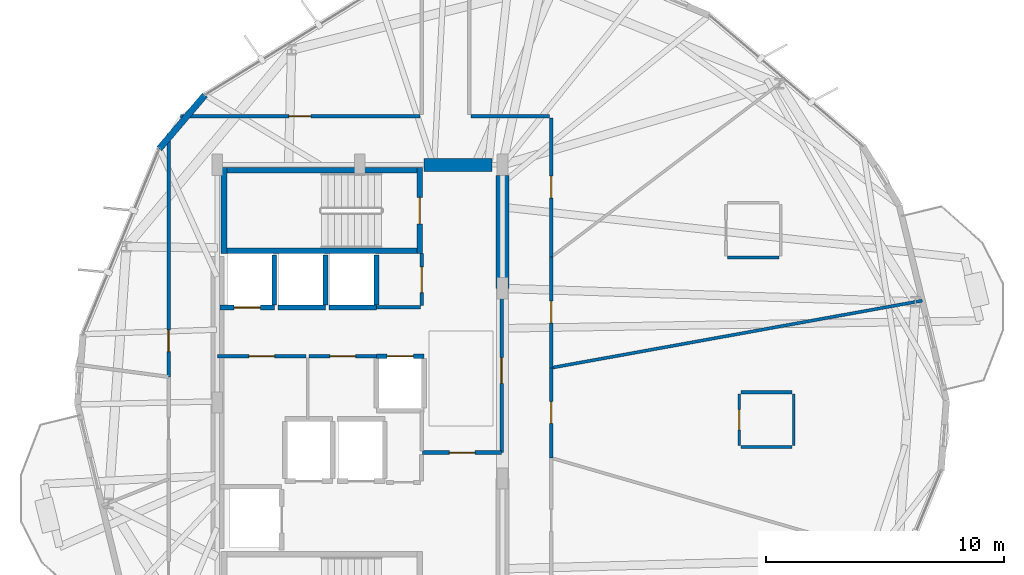
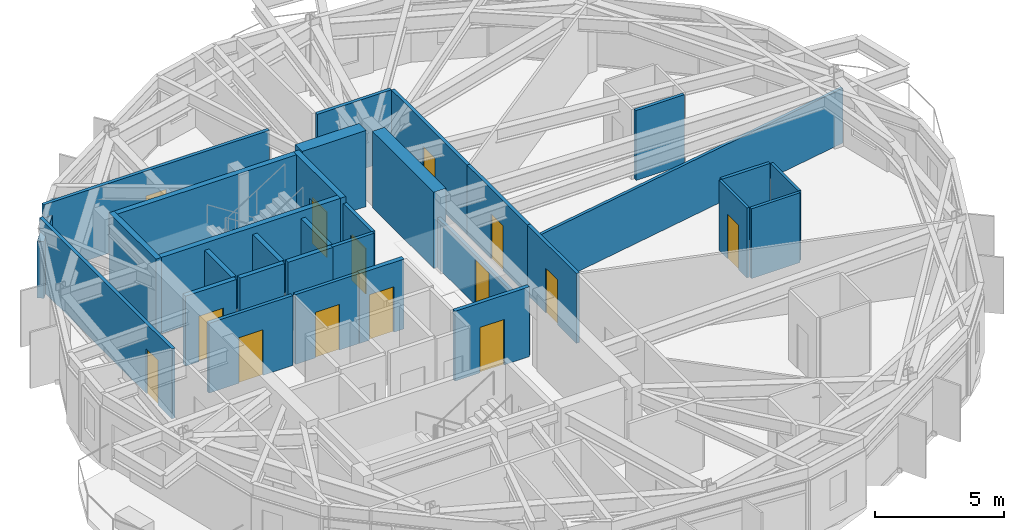
# One storey, part 16 of 21: 32 walls, 14 doors, 14 openings.
"""IFC4 building model written with IfcOpenShell, lengths in metres."""

from ifc_helpers import new_model, si_unit, direction, frame, frame_2d, origin, place, context, subcontext, project, spatial, rectangle, extrude, material, layer, layer_set, type_object, element, fill, save


model = new_model("IFC4")

# Units and contexts
model_context = context("Model", 3, precision=1e-05, world=origin(), true_north=direction((0.0, 1.0)))
body_context = subcontext(model_context, "Body", "Model", "MODEL_VIEW")
ifc_project = project(units=[si_unit("LENGTHUNIT", "METRE"), si_unit("AREAUNIT", "SQUARE_METRE"), si_unit("VOLUMEUNIT", "CUBIC_METRE"), si_unit("PLANEANGLEUNIT", "RADIAN"), si_unit("MASSUNIT", "GRAM", prefix="KILO")], contexts=[model_context])

# Site, building, storey
site_placement = place(None, origin())
site = spatial("IfcSite", under=ifc_project, at=site_placement, CompositionType="ELEMENT")
building_placement = place(site_placement, origin())
building = spatial("IfcBuilding", under=site, at=building_placement, Name="Soratama Intermodal Tower", CompositionType="ELEMENT")
storey_placement = place(building_placement, frame((0.0, 0.0, 149.800048828125)))
storey = spatial("IfcBuildingStorey", under=building, at=storey_placement, Name="L36", CompositionType="ELEMENT", Elevation=149.800048828125)

# Wall
ifc_material_1 = material(Name="Concrete f'c 42 MPa", Category="concrete")
ifc_layer_1 = layer(ifc_material_1, 0.27001953125)
ifc_layer_set_1 = layer_set([ifc_layer_1], Name="Concrete f'c 42 MPa")
wall_type_1 = type_object("IfcWallType", Name="EW-CRN-270", PredefinedType="SOLIDWALL", material=ifc_layer_set_1)
wall_1_placement = place(storey_placement, frame((32.080078125, 37.93505859375, 0.0), z_axis=(0.0, 0.0, 1.0), x_axis=(-0.647858622498, -0.761760595762, 0.0)))
element("IfcWall", 1, at=wall_1_placement, inside=storey, type_object=wall_type_1, Name="L36 Corner Closure Wall 03", PredefinedType="SOLIDWALL", context=body_context, shape_type="SweptSolid", body=[
    extrude(rectangle(XDim=2.966552734375, YDim=0.27001953125, at=frame_2d((1.4833984375, 0.0))), origin(), (0.0, 0.0, 1.0), 2.678955078125),
])

# Wall, opening, door
ifc_material_2 = material(Name="Fire-rated gypsum stud partition", Category="concrete")
ifc_layer_2 = layer(ifc_material_2, 0.14990234375)
ifc_layer_set_2 = layer_set([ifc_layer_2], Name="Fire-rated gypsum stud partition")
wall_type_2 = type_object("IfcWallType", Name="IW-PART-R150", PredefinedType="PARTITIONING", material=ifc_layer_set_2)
wall_2_placement = place(storey_placement, frame((30.550048828125, 26.076904296875, 0.0), z_axis=(0.0, 0.0, 1.0), x_axis=(0.0, 1.0, 0.0)))
wall_2 = element("IfcWall", 2, at=wall_2_placement, inside=storey, type_object=wall_type_2, Name="L36 Partition W-L36-TP005", PredefinedType="PARTITIONING", context=body_context, shape_type="SweptSolid", body=[
    extrude(rectangle(XDim=10.2412109375, YDim=0.14990234375, at=frame_2d((5.12060546875, 0.0))), origin(), (0.0, 0.0, 1.0), 3.300048828125),
])
opening_1_placement = place(wall_2_placement, frame((1.06103515625, 0.0, 0.0)))
opening_1 = element("IfcOpeningElement", 3, at=opening_1_placement, cuts=wall_2, Name="Opening ID-6", PredefinedType="OPENING", context=body_context, shape_type="SweptSolid", body=[
    extrude(rectangle(XDim=0.919921875, YDim=2.1201171875, at=frame_2d((0.4599609375, 1.06005859375))), frame((0.0, 0.0849609375, 0.0), z_axis=(0.0, -1.0, 0.0), x_axis=(1.0, 0.0, 0.0)), (0.0, 0.0, 1.0), 0.169921875),
])
ifc_material_3 = material(Name="Solid hardwood acoustic door", Category="wood")
door_type_1 = type_object("IfcDoorType", Name="DR-ROOM-920", OperationType="NOTDEFINED", PredefinedType="DOOR", material=ifc_material_3)
door_1_placement = place(opening_1_placement, origin())
door_1 = element("IfcDoor", 4, at=door_1_placement, inside=storey, type_object=door_type_1, Name="L36 Door D-L36-TP001", OperationType="SINGLE_SWING_RIGHT", OverallHeight=2.1201171875, OverallWidth=0.919921875, PredefinedType="DOOR", context=body_context, shape_type="SweptSolid", body=[
    extrude(rectangle(XDim=0.919921875, YDim=2.1201171875, at=frame_2d((0.4599609375, 1.06005859375))), frame((0.0, 0.02490234375, 0.0), z_axis=(0.0, -1.0, 0.0), x_axis=(1.0, 0.0, 0.0)), (0.0, 0.0, 1.0), 0.050048828125),
])
fill(opening_1, door_1)

wall_3_placement = place(storey_placement, frame((31.048095703125, 37.050048828125, 0.0), z_axis=(0.0, 0.0, 1.0), x_axis=(1.0, 0.0, 0.0)))
wall_3 = element("IfcWall", 5, at=wall_3_placement, inside=storey, type_object=wall_type_2, Name="L36 Partition W-L36-TP006", PredefinedType="PARTITIONING", context=body_context, shape_type="SweptSolid", body=[
    extrude(rectangle(XDim=10.081787109375, YDim=0.14990234375, at=frame_2d((5.041015625, 0.0))), origin(), (0.0, 0.0, 1.0), 3.300048828125),
])
opening_2_placement = place(wall_3_placement, frame((4.56591796875, 0.0, 0.0)))
opening_2 = element("IfcOpeningElement", 6, at=opening_2_placement, cuts=wall_3, Name="Opening ID-6", PredefinedType="OPENING", context=body_context, shape_type="SweptSolid", body=[
    extrude(rectangle(XDim=0.919921875, YDim=2.1201171875, at=frame_2d((0.4599609375, 1.06005859375))), frame((0.0, 0.0849609375, 0.0), z_axis=(0.0, -1.0, 0.0), x_axis=(1.0, 0.0, 0.0)), (0.0, 0.0, 1.0), 0.169921875),
])
door_2_placement = place(opening_2_placement, origin())
door_2 = element("IfcDoor", 7, at=door_2_placement, inside=storey, type_object=door_type_1, Name="L36 Door D-L36-TP002", OperationType="SINGLE_SWING_LEFT", OverallHeight=2.1201171875, OverallWidth=0.919921875, PredefinedType="DOOR", context=body_context, shape_type="SweptSolid", body=[
    extrude(rectangle(XDim=0.919921875, YDim=2.1201171875, at=frame_2d((0.4599609375, 1.06005859375))), frame((0.0, 0.02490234375, 0.0), z_axis=(0.0, -1.0, 0.0), x_axis=(1.0, 0.0, 0.0)), (0.0, 0.0, 1.0), 0.050048828125),
])
fill(opening_2, door_2)

wall_4_placement = place(storey_placement, frame((44.56005859375, 29.800048828125, 0.0), z_axis=(0.0, 0.0, 1.0), x_axis=(0.0, -1.0, 0.0)))
wall_4 = element("IfcWall", 8, at=wall_4_placement, inside=storey, type_object=wall_type_2, Name="L36 Partition W-L36-TP008", PredefinedType="PARTITIONING", context=body_context, shape_type="SweptSolid", body=[
    extrude(rectangle(XDim=6.91015625, YDim=0.14990234375, at=frame_2d((3.455078125, 0.0))), origin(), (0.0, 0.0, 1.0), 2.33984375),
])
opening_3_placement = place(wall_4_placement, frame((2.9150390625, 0.0, 0.0)))
opening_3 = element("IfcOpeningElement", 9, at=opening_3_placement, cuts=wall_4, Name="Opening ID-1", PredefinedType="OPENING", context=body_context, shape_type="SweptSolid", body=[
    extrude(rectangle(XDim=1.080078125, YDim=2.14990234375, at=frame_2d((0.5400390625, 1.074951171875))), frame((0.0, 0.0849609375, 0.0), z_axis=(0.0, -1.0, 0.0), x_axis=(1.0, 0.0, 0.0)), (0.0, 0.0, 1.0), 0.169921875),
])
ifc_material_4 = material(Name="Solid hardwood acoustic door", Category="wood")
door_type_2 = type_object("IfcDoorType", Name="DR-LOB-FD60", OperationType="NOTDEFINED", PredefinedType="DOOR", material=ifc_material_4)
door_3_placement = place(opening_3_placement, origin())
door_3 = element("IfcDoor", 10, at=door_3_placement, inside=storey, type_object=door_type_2, Name="L36 Door D-L36-TP004", OperationType="SINGLE_SWING_LEFT", OverallHeight=2.14990234375, OverallWidth=1.080078125, PredefinedType="DOOR", context=body_context, shape_type="SweptSolid", body=[
    extrude(rectangle(XDim=1.080078125, YDim=2.14990234375, at=frame_2d((0.5400390625, 1.074951171875))), frame((0.0, 0.02490234375, 0.0), z_axis=(0.0, -1.0, 0.0), x_axis=(1.0, 0.0, 0.0)), (0.0, 0.0, 1.0), 0.050048828125),
])
fill(opening_3, door_3)

wall_5_placement = place(storey_placement, frame((46.64990234375, 36.97998046875, 0.0), z_axis=(0.0, 0.0, 1.0), x_axis=(0.0, -1.0, 0.0)))
wall_5 = element("IfcWall", 11, at=wall_5_placement, inside=storey, type_object=wall_type_2, Name="L36 Partition W-L36-TP010", PredefinedType="PARTITIONING", context=body_context, shape_type="SweptSolid", body=[
    extrude(rectangle(XDim=5.864990234375, YDim=0.14990234375, at=frame_2d((2.9326171875, 0.0))), origin(), (0.0, 0.0, 1.0), 3.300048828125),
])
opening_4_placement = place(wall_5_placement, frame((2.45703125, 0.0, 0.0)))
opening_4 = element("IfcOpeningElement", 12, at=opening_4_placement, cuts=wall_5, Name="Opening ID-6", PredefinedType="OPENING", context=body_context, shape_type="SweptSolid", body=[
    extrude(rectangle(XDim=0.919921875, YDim=2.1201171875, at=frame_2d((0.4599609375, 1.06005859375))), frame((0.0, 0.0849609375, 0.0), z_axis=(0.0, -1.0, 0.0), x_axis=(1.0, 0.0, 0.0)), (0.0, 0.0, 1.0), 0.169921875),
])
door_4_placement = place(opening_4_placement, origin())
door_4 = element("IfcDoor", 13, at=door_4_placement, inside=storey, type_object=door_type_1, Name="L36 Door D-L36-TP006", OperationType="SINGLE_SWING_LEFT", OverallHeight=2.1201171875, OverallWidth=0.919921875, PredefinedType="DOOR", context=body_context, shape_type="SweptSolid", body=[
    extrude(rectangle(XDim=0.919921875, YDim=2.1201171875, at=frame_2d((0.4599609375, 1.06005859375))), frame((0.0, 0.02490234375, 0.0), z_axis=(0.0, -1.0, 0.0), x_axis=(1.0, 0.0, 0.0)), (0.0, 0.0, 1.0), 0.050048828125),
])
fill(opening_4, door_4)

wall_6_placement = place(storey_placement, frame((46.64990234375, 31.114990234375, 0.0), z_axis=(0.0, 0.0, 1.0), x_axis=(0.0, -1.0, 0.0)))
wall_6 = element("IfcWall", 14, at=wall_6_placement, inside=storey, type_object=wall_type_2, Name="L36 Partition W-L36-TP017", PredefinedType="PARTITIONING", context=body_context, shape_type="SweptSolid", body=[
    extrude(rectangle(XDim=4.656982421875, YDim=0.14990234375, at=frame_2d((2.32861328125, 0.0))), origin(), (0.0, 0.0, 1.0), 3.300048828125),
])
opening_5_placement = place(wall_6_placement, frame((1.85302734375, 0.0, 0.0)))
opening_5 = element("IfcOpeningElement", 15, at=opening_5_placement, cuts=wall_6, Name="Opening ID-6", PredefinedType="OPENING", context=body_context, shape_type="SweptSolid", body=[
    extrude(rectangle(XDim=0.919921875, YDim=2.1201171875, at=frame_2d((0.4599609375, 1.06005859375))), frame((0.0, 0.0849609375, 0.0), z_axis=(0.0, -1.0, 0.0), x_axis=(1.0, 0.0, 0.0)), (0.0, 0.0, 1.0), 0.169921875),
])
door_5_placement = place(opening_5_placement, origin())
door_5 = element("IfcDoor", 16, at=door_5_placement, inside=storey, type_object=door_type_1, Name="L36 Door D-L36-TP010", OperationType="SINGLE_SWING_LEFT", OverallHeight=2.1201171875, OverallWidth=0.919921875, PredefinedType="DOOR", context=body_context, shape_type="SweptSolid", body=[
    extrude(rectangle(XDim=0.919921875, YDim=2.1201171875, at=frame_2d((0.4599609375, 1.06005859375))), frame((0.0, 0.02490234375, 0.0), z_axis=(0.0, -1.0, 0.0), x_axis=(1.0, 0.0, 0.0)), (0.0, 0.0, 1.0), 0.050048828125),
])
fill(opening_5, door_5)

wall_7_placement = place(storey_placement, frame((46.64990234375, 26.4580078125, 0.0), z_axis=(0.0, 0.0, 1.0), x_axis=(0.0, -1.0, 0.0)))
wall_7 = element("IfcWall", 17, at=wall_7_placement, inside=storey, type_object=wall_type_2, Name="L36 Partition W-L36-TP021", PredefinedType="PARTITIONING", context=body_context, shape_type="SweptSolid", body=[
    extrude(rectangle(XDim=3.7900390625, YDim=0.14990234375, at=frame_2d((1.89501953125, 0.0))), origin(), (0.0, 0.0, 1.0), 3.300048828125),
])
opening_6_placement = place(wall_7_placement, frame((1.419921875, 0.0, 0.0)))
opening_6 = element("IfcOpeningElement", 18, at=opening_6_placement, cuts=wall_7, Name="Opening ID-6", PredefinedType="OPENING", context=body_context, shape_type="SweptSolid", body=[
    extrude(rectangle(XDim=0.919921875, YDim=2.1201171875, at=frame_2d((0.4599609375, 1.06005859375))), frame((0.0, 0.0849609375, 0.0), z_axis=(0.0, -1.0, 0.0), x_axis=(1.0, 0.0, 0.0)), (0.0, 0.0, 1.0), 0.169921875),
])
door_6_placement = place(opening_6_placement, origin())
door_6 = element("IfcDoor", 19, at=door_6_placement, inside=storey, type_object=door_type_1, Name="L36 Door D-L36-TP012", OperationType="SINGLE_SWING_LEFT", OverallHeight=2.1201171875, OverallWidth=0.919921875, PredefinedType="DOOR", context=body_context, shape_type="SweptSolid", body=[
    extrude(rectangle(XDim=0.919921875, YDim=2.1201171875, at=frame_2d((0.4599609375, 1.06005859375))), frame((0.0, 0.02490234375, 0.0), z_axis=(0.0, -1.0, 0.0), x_axis=(1.0, 0.0, 0.0)), (0.0, 0.0, 1.0), 0.050048828125),
])
fill(opening_6, door_6)

wall_8_placement = place(storey_placement, frame((36.340087890625, 26.93994140625, 0.0), z_axis=(0.0, 0.0, 1.0), x_axis=(-1.0, 0.0, 0.0)))
wall_8 = element("IfcWall", 20, at=wall_8_placement, inside=storey, type_object=wall_type_2, Name="L36 Partition W-L36-TP022", PredefinedType="PARTITIONING", context=body_context, shape_type="SweptSolid", body=[
    extrude(rectangle(XDim=3.739990234375, YDim=0.14990234375, at=frame_2d((1.8701171875, 0.0))), origin(), (0.0, 0.0, 1.0), 3.300048828125),
])
opening_7_placement = place(wall_8_placement, frame((1.330078125, 0.0, 0.0)))
opening_7 = element("IfcOpeningElement", 21, at=opening_7_placement, cuts=wall_8, Name="Opening ID-1", PredefinedType="OPENING", context=body_context, shape_type="SweptSolid", body=[
    extrude(rectangle(XDim=1.080078125, YDim=2.14990234375, at=frame_2d((0.5400390625, 1.074951171875))), frame((0.0, 0.0849609375, 0.0), z_axis=(0.0, -1.0, 0.0), x_axis=(1.0, 0.0, 0.0)), (0.0, 0.0, 1.0), 0.169921875),
])
door_7_placement = place(opening_7_placement, origin())
door_7 = element("IfcDoor", 22, at=door_7_placement, inside=storey, type_object=door_type_2, Name="L36 Door D-L36-TP013", OperationType="SINGLE_SWING_RIGHT", OverallHeight=2.14990234375, OverallWidth=1.080078125, PredefinedType="DOOR", context=body_context, shape_type="SweptSolid", body=[
    extrude(rectangle(XDim=1.080078125, YDim=2.14990234375, at=frame_2d((0.5400390625, 1.074951171875))), frame((0.0, 0.02490234375, 0.0), z_axis=(0.0, -1.0, 0.0), x_axis=(1.0, 0.0, 0.0)), (0.0, 0.0, 1.0), 0.050048828125),
])
fill(opening_7, door_7)

# Wall
wall_9_placement = place(storey_placement, frame((43.27001953125, 37.050048828125, 0.0), z_axis=(0.0, 0.0, 1.0), x_axis=(1.0, 0.0, 0.0)))
element("IfcWall", 23, at=wall_9_placement, inside=storey, type_object=wall_type_2, Name="L36 Partition W-L36-TP024", PredefinedType="PARTITIONING", context=body_context, shape_type="SweptSolid", body=[
    extrude(rectangle(XDim=3.31005859375, YDim=0.14990234375, at=frame_2d((1.655029296875, 0.0))), origin(), (0.0, 0.0, 1.0), 3.300048828125),
])

# Wall, opening, door
wall_10_placement = place(storey_placement, frame((39.300048828125, 26.93994140625, 0.0), z_axis=(0.0, 0.0, 1.0), x_axis=(-1.0, 0.0, 0.0)))
wall_10 = element("IfcWall", 24, at=wall_10_placement, inside=storey, type_object=wall_type_2, Name="L36 Partition W-L36-TP028", PredefinedType="PARTITIONING", context=body_context, shape_type="SweptSolid", body=[
    extrude(rectangle(XDim=2.840087890625, YDim=0.14990234375, at=frame_2d((1.419921875, 0.0))), origin(), (0.0, 0.0, 1.0), 3.300048828125),
])
opening_8_placement = place(wall_10_placement, frame((0.8798828125, 0.0, 0.0)))
opening_8 = element("IfcOpeningElement", 25, at=opening_8_placement, cuts=wall_10, Name="Opening ID-1", PredefinedType="OPENING", context=body_context, shape_type="SweptSolid", body=[
    extrude(rectangle(XDim=1.080078125, YDim=2.14990234375, at=frame_2d((0.5400390625, 1.074951171875))), frame((0.0, 0.0849609375, 0.0), z_axis=(0.0, -1.0, 0.0), x_axis=(1.0, 0.0, 0.0)), (0.0, 0.0, 1.0), 0.169921875),
])
door_8_placement = place(opening_8_placement, origin())
door_8 = element("IfcDoor", 26, at=door_8_placement, inside=storey, type_object=door_type_2, Name="L36 Door D-L36-TP015", OperationType="SINGLE_SWING_RIGHT", OverallHeight=2.14990234375, OverallWidth=1.080078125, PredefinedType="DOOR", context=body_context, shape_type="SweptSolid", body=[
    extrude(rectangle(XDim=1.080078125, YDim=2.14990234375, at=frame_2d((0.5400390625, 1.074951171875))), frame((0.0, 0.02490234375, 0.0), z_axis=(0.0, -1.0, 0.0), x_axis=(1.0, 0.0, 0.0)), (0.0, 0.0, 1.0), 0.050048828125),
])
fill(opening_8, door_8)

wall_11_placement = place(storey_placement, frame((41.199951171875, 29.070068359375, 0.0), z_axis=(0.0, 0.0, 1.0), x_axis=(0.0, 1.0, 0.0)))
wall_11 = element("IfcWall", 27, at=wall_11_placement, inside=storey, type_object=wall_type_2, Name="L36 Partition W-L36-TP030", PredefinedType="PARTITIONING", context=body_context, shape_type="SweptSolid", body=[
    extrude(rectangle(XDim=2.18994140625, YDim=0.14990234375, at=frame_2d((1.094970703125, 0.0))), origin(), (0.0, 0.0, 1.0), 3.300048828125),
])
opening_9_placement = place(wall_11_placement, frame((0.554931640625, 0.0, 0.0)))
opening_9 = element("IfcOpeningElement", 28, at=opening_9_placement, cuts=wall_11, Name="Opening ID-1", PredefinedType="OPENING", context=body_context, shape_type="SweptSolid", body=[
    extrude(rectangle(XDim=1.080078125, YDim=2.14990234375, at=frame_2d((0.5400390625, 1.074951171875))), frame((0.0, 0.0849609375, 0.0), z_axis=(0.0, -1.0, 0.0), x_axis=(1.0, 0.0, 0.0)), (0.0, 0.0, 1.0), 0.169921875),
])
door_9_placement = place(opening_9_placement, origin())
door_9 = element("IfcDoor", 29, at=door_9_placement, inside=storey, type_object=door_type_2, Name="L36 Door D-L36-TP016", OperationType="SINGLE_SWING_LEFT", OverallHeight=2.14990234375, OverallWidth=1.080078125, PredefinedType="DOOR", context=body_context, shape_type="SweptSolid", body=[
    extrude(rectangle(XDim=1.080078125, YDim=2.14990234375, at=frame_2d((0.5400390625, 1.074951171875))), frame((0.0, 0.02490234375, 0.0), z_axis=(0.0, -1.0, 0.0), x_axis=(1.0, 0.0, 0.0)), (0.0, 0.0, 1.0), 0.050048828125),
])
fill(opening_9, door_9)

# Wall
wall_12_placement = place(storey_placement, frame((39.300048828125, 29.010009765625, 0.0), z_axis=(0.0, 0.0, 1.0), x_axis=(1.0, 0.0, 0.0)))
element("IfcWall", 30, at=wall_12_placement, inside=storey, type_object=wall_type_2, Name="L36 Partition W-L36-TP047", PredefinedType="PARTITIONING", context=body_context, shape_type="SweptSolid", body=[
    extrude(rectangle(XDim=1.85986328125, YDim=0.14990234375, at=frame_2d((0.929931640625, 0.0))), origin(), (0.0, 0.0, 1.0), 3.300048828125),
])

# Wall, opening, door
ifc_material_5 = material(Name="Fire-rated gypsum stud partition", Category="concrete")
ifc_layer_3 = layer(ifc_material_5, 0.169921875)
ifc_layer_set_3 = layer_set([ifc_layer_3], Name="Fire-rated gypsum stud partition")
wall_type_3 = type_object("IfcWallType", Name="IW-PART-R170", PredefinedType="PARTITIONING", material=ifc_layer_set_3)
wall_13_placement = place(storey_placement, frame((41.239990234375, 22.889892578125, 0.0), z_axis=(0.0, 0.0, 1.0), x_axis=(1.0, 0.0, 0.0)))
wall_13 = element("IfcWall", 31, at=wall_13_placement, inside=storey, type_object=wall_type_3, Name="L36 Partition W-L36-TP023", PredefinedType="PARTITIONING", context=body_context, shape_type="SweptSolid", body=[
    extrude(rectangle(XDim=3.320068359375, YDim=0.169921875, at=frame_2d((1.66015625, 0.0))), origin(), (0.0, 0.0, 1.0), 3.300048828125),
])
opening_10_placement = place(wall_13_placement, frame((1.1201171875, 0.0, 0.0)))
opening_10 = element("IfcOpeningElement", 32, at=opening_10_placement, cuts=wall_13, Name="Opening ID-0", PredefinedType="OPENING", context=body_context, shape_type="SweptSolid", body=[
    extrude(rectangle(XDim=1.080078125, YDim=2.14990234375, at=frame_2d((0.5400390625, 1.074951171875))), frame((0.0, 0.094970703125, 0.0), z_axis=(0.0, -1.0, 0.0), x_axis=(1.0, 0.0, 0.0)), (0.0, 0.0, 1.0), 0.18994140625),
])
ifc_material_6 = material(Name="Solid hardwood acoustic door", Category="wood")
door_type_3 = type_object("IfcDoorType", Name="DR-LOB-FD90", OperationType="NOTDEFINED", PredefinedType="DOOR", material=ifc_material_6)
door_10_placement = place(opening_10_placement, origin())
door_10 = element("IfcDoor", 33, at=door_10_placement, inside=storey, type_object=door_type_3, Name="L36 Door D-L36-TP014", OperationType="SINGLE_SWING_LEFT", OverallHeight=2.14990234375, OverallWidth=1.080078125, PredefinedType="DOOR", context=body_context, shape_type="SweptSolid", body=[
    extrude(rectangle(XDim=1.080078125, YDim=2.14990234375, at=frame_2d((0.5400390625, 1.074951171875))), frame((0.0, 0.02490234375, 0.0), z_axis=(0.0, -1.0, 0.0), x_axis=(1.0, 0.0, 0.0)), (0.0, 0.0, 1.0), 0.050048828125),
])
fill(opening_10, door_10)

# Wall
ifc_material_7 = material(Name="Fire-rated gypsum stud partition", Category="concrete")
ifc_layer_4 = layer(ifc_material_7, 0.110107421875)
ifc_layer_set_4 = layer_set([ifc_layer_4], Name="Fire-rated gypsum stud partition")
wall_type_4 = type_object("IfcWallType", Name="IW-PART-S110", PredefinedType="PARTITIONING", material=ifc_layer_set_4)
wall_14_placement = place(storey_placement, frame((56.861083984375, 23.195068359375, 0.0), z_axis=(0.0, 0.0, 1.0), x_axis=(0.0, 1.0, 0.0)))
element("IfcWall", 34, at=wall_14_placement, inside=storey, type_object=wall_type_4, Name="L36 Partition W-L36-TP038", PredefinedType="PARTITIONING", context=body_context, shape_type="SweptSolid", body=[
    extrude(rectangle(XDim=2.159912109375, YDim=0.110107421875, at=frame_2d((1.080078125, 0.0))), origin(), (0.0, 0.0, 1.0), 3.300048828125),
])

# Wall, opening, door
ifc_material_8 = material(Name="Fire-rated gypsum stud partition", Category="concrete")
ifc_layer_5 = layer(ifc_material_8, 0.1201171875)
ifc_layer_set_5 = layer_set([ifc_layer_5], Name="Fire-rated gypsum stud partition")
wall_type_5 = type_object("IfcWallType", Name="IW-PART-S120", PredefinedType="PARTITIONING", material=ifc_layer_set_5)
wall_15_placement = place(storey_placement, frame((54.56103515625, 25.35498046875, 0.0), z_axis=(0.0, 0.0, 1.0), x_axis=(0.0, -1.0, 0.0)))
wall_15 = element("IfcWall", 35, at=wall_15_placement, inside=storey, type_object=wall_type_5, Name="L36 Partition W-L36-TP037", PredefinedType="PARTITIONING", context=body_context, shape_type="SweptSolid", body=[
    extrude(rectangle(XDim=2.159912109375, YDim=0.1201171875, at=frame_2d((1.080078125, 0.0))), origin(), (0.0, 0.0, 1.0), 3.300048828125),
])
opening_11_placement = place(wall_15_placement, frame((0.655029296875, 0.0, 0.0)))
opening_11 = element("IfcOpeningElement", 36, at=opening_11_placement, cuts=wall_15, Name="Opening ID-4", PredefinedType="OPENING", context=body_context, shape_type="SweptSolid", body=[
    extrude(rectangle(XDim=0.85009765625, YDim=2.10009765625, at=frame_2d((0.425048828125, 1.050048828125))), frame((0.0, 0.070068359375, 0.0), z_axis=(0.0, -1.0, 0.0), x_axis=(1.0, 0.0, 0.0)), (0.0, 0.0, 1.0), 0.14013671875),
])
ifc_material_9 = material(Name="Solid hardwood acoustic door", Category="wood")
door_type_4 = type_object("IfcDoorType", Name="DR-BATH-850", OperationType="NOTDEFINED", PredefinedType="DOOR", material=ifc_material_9)
door_11_placement = place(opening_11_placement, origin())
door_11 = element("IfcDoor", 37, at=door_11_placement, inside=storey, type_object=door_type_4, Name="L36 Door D-L36-TP020", OperationType="SINGLE_SWING_LEFT", OverallHeight=2.10009765625, OverallWidth=0.85009765625, PredefinedType="DOOR", context=body_context, shape_type="SweptSolid", body=[
    extrude(rectangle(XDim=0.85009765625, YDim=2.10009765625, at=frame_2d((0.425048828125, 1.050048828125))), frame((0.0, 0.02490234375, 0.0), z_axis=(0.0, -1.0, 0.0), x_axis=(1.0, 0.0, 0.0)), (0.0, 0.0, 1.0), 0.050048828125),
])
fill(opening_11, door_11)

# Walls
ifc_material_10 = material(Name="Fire-rated gypsum stud partition", Category="concrete")
ifc_layer_6 = layer(ifc_material_10, 0.1298828125)
ifc_layer_set_6 = layer_set([ifc_layer_6], Name="Fire-rated gypsum stud partition")
wall_type_6 = type_object("IfcWallType", Name="IW-PART-S130", PredefinedType="PARTITIONING", material=ifc_layer_set_6)
wall_16_placement = place(storey_placement, frame((62.264892578125, 29.284912109375, 0.0), z_axis=(0.0, 0.0, 1.0), x_axis=(-0.984004770571, -0.17814211039, 0.0)))
element("IfcWall", 38, at=wall_16_placement, inside=storey, type_object=wall_type_6, Name="L36 Partition W-L36-TP001", PredefinedType="PARTITIONING", context=body_context, shape_type="SweptSolid", body=[
    extrude(rectangle(XDim=15.868896484375, YDim=0.1298828125, at=frame_2d((7.9345703125, 0.0))), origin(), (0.0, 0.0, 1.0), 2.594970703125),
])
wall_17_placement = place(storey_placement, frame((54.631103515625, 23.125, 0.0), z_axis=(0.0, 0.0, 1.0), x_axis=(1.0, 0.0, 0.0)))
element("IfcWall", 39, at=wall_17_placement, inside=storey, type_object=wall_type_6, Name="L36 Partition W-L36-TP046", PredefinedType="PARTITIONING", context=body_context, shape_type="SweptSolid", body=[
    extrude(rectangle(XDim=2.159912109375, YDim=0.1298828125, at=frame_2d((1.080078125, 0.0))), origin(), (0.0, 0.0, 1.0), 3.300048828125),
])
ifc_material_11 = material(Name="Fire-rated gypsum stud partition", Category="concrete")
ifc_layer_7 = layer(ifc_material_11, 0.139892578125)
ifc_layer_set_7 = layer_set([ifc_layer_7], Name="Fire-rated gypsum stud partition")
wall_type_7 = type_object("IfcWallType", Name="IW-PART-S140", PredefinedType="PARTITIONING", material=ifc_layer_set_7)
for number, where, z_axis, x_axis, name in (
    (40, (54.072998046875, 31.09912109375, 0.0), (0.0, 0.0, 1.0), (1.0, 0.0, 0.0), "L36 Partition W-L36-TP040"),
    (41, (56.791015625, 25.425048828125, 0.0), (0.0, 0.0, 1.0), (-1.0, 0.0, 0.0), "L36 Partition W-L36-TP045"),
):
    element("IfcWall", number, at=place(storey_placement, frame(where, z_axis=z_axis, x_axis=x_axis)), inside=storey, type_object=wall_type_7, Name=name, PredefinedType="PARTITIONING", context=body_context, shape_type="SweptSolid", body=[
        extrude(rectangle(XDim=2.159912109375, YDim=0.139892578125, at=frame_2d((1.080078125, 0.0))), origin(), (0.0, 0.0, 1.0), 3.300048828125),
    ])

# Wall, opening, door
ifc_material_12 = material(Name="Concrete f'c 42 MPa", Category="concrete")
ifc_layer_8 = layer(ifc_material_12, 0.199951171875)
ifc_layer_set_8 = layer_set([ifc_layer_8], Name="Concrete f'c 42 MPa")
wall_type_8 = type_object("IfcWallType", Name="IW-SHAFT-200", PredefinedType="SOLIDWALL", material=ifc_layer_set_8)
wall_18_placement = place(storey_placement, frame((39.300048828125, 26.949951171875, 0.0), z_axis=(0.0, 0.0, 1.0), x_axis=(1.0, 0.0, 0.0)))
wall_18 = element("IfcWall", 42, at=wall_18_placement, inside=storey, type_object=wall_type_8, Name="L36 PL-M1 Hoistway Wall N", PredefinedType="SOLIDWALL", context=body_context, shape_type="SweptSolid", body=[
    extrude(rectangle(XDim=2.0, YDim=0.199951171875, at=frame_2d((1.0, 0.0))), origin(), (0.0, 0.0, 1.0), 3.300048828125),
])
opening_12_placement = place(wall_18_placement, frame((0.449951171875, 0.0, 0.0)))
opening_12 = element("IfcOpeningElement", 43, at=opening_12_placement, cuts=wall_18, Name="Opening LD-1", PredefinedType="OPENING", context=body_context, shape_type="SweptSolid", body=[
    extrude(rectangle(XDim=1.10009765625, YDim=2.14990234375, at=frame_2d((0.550048828125, 1.074951171875))), frame((0.0, 0.10986328125, 0.0), z_axis=(0.0, -1.0, 0.0), x_axis=(1.0, 0.0, 0.0)), (0.0, 0.0, 1.0), 0.219970703125),
])
ifc_material_13 = material(Name="Steel fire door", Category="steel")
door_type_5 = type_object("IfcDoorType", Name="DR-LIFT-SLIDE", OperationType="NOTDEFINED", PredefinedType="DOOR", material=ifc_material_13)
door_12_placement = place(opening_12_placement, origin())
door_12 = element("IfcDoor", 44, at=door_12_placement, inside=storey, type_object=door_type_5, Name="L36 PL-M1 Sliding Landing Door", OperationType="SLIDING_TO_LEFT", OverallHeight=2.14990234375, OverallWidth=1.10009765625, PredefinedType="DOOR", context=body_context, shape_type="SweptSolid", body=[
    extrude(rectangle(XDim=1.10009765625, YDim=2.14990234375, at=frame_2d((0.550048828125, 1.074951171875))), frame((0.0, 0.02490234375, 0.0), z_axis=(0.0, -1.0, 0.0), x_axis=(1.0, 0.0, 0.0)), (0.0, 0.0, 1.0), 0.050048828125),
])
fill(opening_12, door_12)

wall_19_placement = place(storey_placement, frame((32.719970703125, 29.0, 0.0), z_axis=(0.0, 0.0, 1.0), x_axis=(1.0, 0.0, 0.0)))
wall_19 = element("IfcWall", 45, at=wall_19_placement, inside=storey, type_object=wall_type_8, Name="L36 PL-M2 Hoistway Wall S", PredefinedType="SOLIDWALL", context=body_context, shape_type="SweptSolid", body=[
    extrude(rectangle(XDim=2.280029296875, YDim=0.199951171875, at=frame_2d((1.14013671875, 0.0))), origin(), (0.0, 0.0, 1.0), 3.300048828125),
])
opening_13_placement = place(wall_19_placement, frame((0.590087890625, 0.0, 0.0)))
opening_13 = element("IfcOpeningElement", 46, at=opening_13_placement, cuts=wall_19, Name="Opening LD-1", PredefinedType="OPENING", context=body_context, shape_type="SweptSolid", body=[
    extrude(rectangle(XDim=1.10009765625, YDim=2.14990234375, at=frame_2d((0.550048828125, 1.074951171875))), frame((0.0, 0.10986328125, 0.0), z_axis=(0.0, -1.0, 0.0), x_axis=(1.0, 0.0, 0.0)), (0.0, 0.0, 1.0), 0.219970703125),
])
door_13_placement = place(opening_13_placement, origin())
door_13 = element("IfcDoor", 47, at=door_13_placement, inside=storey, type_object=door_type_5, Name="L36 PL-M2 Sliding Landing Door", OperationType="SLIDING_TO_LEFT", OverallHeight=2.14990234375, OverallWidth=1.10009765625, PredefinedType="DOOR", context=body_context, shape_type="SweptSolid", body=[
    extrude(rectangle(XDim=1.10009765625, YDim=2.14990234375, at=frame_2d((0.550048828125, 1.074951171875))), frame((0.0, 0.02490234375, 0.0), z_axis=(0.0, -1.0, 0.0), x_axis=(1.0, 0.0, 0.0)), (0.0, 0.0, 1.0), 0.050048828125),
])
fill(opening_13, door_13)

# Walls
wall_20_placement = place(storey_placement, frame((35.0, 29.110107421875, 0.0), z_axis=(0.0, 0.0, 1.0), x_axis=(0.0, 1.0, 0.0)))
element("IfcWall", 48, at=wall_20_placement, inside=storey, type_object=wall_type_8, Name="L36 PL-M2 Hoistway Wall E", PredefinedType="SOLIDWALL", context=body_context, shape_type="SweptSolid", body=[
    extrude(rectangle(XDim=2.099853515625, YDim=0.199951171875, at=frame_2d((1.0498046875, 0.0))), origin(), (0.0, 0.0, 1.0), 3.300048828125),
])
wall_21_placement = place(storey_placement, frame((35.14990234375, 29.0, 0.0), z_axis=(0.0, 0.0, 1.0), x_axis=(1.0, 0.0, 0.0)))
element("IfcWall", 49, at=wall_21_placement, inside=storey, type_object=wall_type_8, Name="L36 PL-H1 Hoistway Wall S", PredefinedType="SOLIDWALL", context=body_context, shape_type="SweptSolid", body=[
    extrude(rectangle(XDim=2.0, YDim=0.199951171875, at=frame_2d((1.0, 0.0))), origin(), (0.0, 0.0, 1.0), 3.300048828125),
])
wall_22_placement = place(storey_placement, frame((37.14990234375, 29.110107421875, 0.0), z_axis=(0.0, 0.0, 1.0), x_axis=(0.0, 1.0, 0.0)))
element("IfcWall", 50, at=wall_22_placement, inside=storey, type_object=wall_type_8, Name="L36 PL-H1 Hoistway Wall E", PredefinedType="SOLIDWALL", context=body_context, shape_type="SweptSolid", body=[
    extrude(rectangle(XDim=2.099853515625, YDim=0.199951171875, at=frame_2d((1.0498046875, 0.0))), origin(), (0.0, 0.0, 1.0), 3.300048828125),
])
wall_23_placement = place(storey_placement, frame((37.300048828125, 29.0, 0.0), z_axis=(0.0, 0.0, 1.0), x_axis=(1.0, 0.0, 0.0)))
element("IfcWall", 51, at=wall_23_placement, inside=storey, type_object=wall_type_8, Name="L36 PL-H2 Hoistway Wall S", PredefinedType="SOLIDWALL", context=body_context, shape_type="SweptSolid", body=[
    extrude(rectangle(XDim=2.0, YDim=0.199951171875, at=frame_2d((1.0, 0.0))), origin(), (0.0, 0.0, 1.0), 3.300048828125),
])
wall_24_placement = place(storey_placement, frame((39.300048828125, 29.110107421875, 0.0), z_axis=(0.0, 0.0, 1.0), x_axis=(0.0, 1.0, 0.0)))
element("IfcWall", 52, at=wall_24_placement, inside=storey, type_object=wall_type_8, Name="L36 PL-H2 Hoistway Wall E", PredefinedType="SOLIDWALL", context=body_context, shape_type="SweptSolid", body=[
    extrude(rectangle(XDim=2.099853515625, YDim=0.199951171875, at=frame_2d((1.0498046875, 0.0))), origin(), (0.0, 0.0, 1.0), 3.300048828125),
])
ifc_material_14 = material(Name="Concrete f'c 56 MPa", Category="concrete")
ifc_layer_9 = layer(ifc_material_14, 0.550048828125)
ifc_layer_set_9 = layer_set([ifc_layer_9], Name="Concrete f'c 56 MPa")
wall_type_9 = type_object("IfcWallType", Name="SW-CORE-550", PredefinedType="SHEAR", material=ifc_layer_set_9)
wall_25_placement = place(storey_placement, frame((41.300048828125, 35.0, 0.0), z_axis=(0.0, 0.0, 1.0), x_axis=(1.0, 0.0, 0.0)))
element("IfcWall", 53, at=wall_25_placement, inside=storey, type_object=wall_type_9, Name="L36 Core Shear Wall CW-NE", PredefinedType="SHEAR", context=body_context, shape_type="SweptSolid", body=[
    extrude(rectangle(XDim=2.849853515625, YDim=0.550048828125, at=frame_2d((1.4248046875, 0.0))), origin(), (0.0, 0.0, 1.0), 3.599853515625),
])
wall_26_placement = place(storey_placement, frame((44.60009765625, 29.800048828125, 0.0), z_axis=(0.0, 0.0, 1.0), x_axis=(0.0, 1.0, 0.0)))
element("IfcWall", 54, at=wall_26_placement, inside=storey, type_object=wall_type_9, Name="L36 Core Shear Wall CW-EN", PredefinedType="SHEAR", context=body_context, shape_type="SweptSolid", body=[
    extrude(rectangle(XDim=4.75, YDim=0.550048828125, at=frame_2d((2.375, 0.0))), origin(), (0.0, 0.0, 1.0), 3.599853515625),
])
ifc_material_15 = material(Name="Concrete f'c 56 MPa", Category="concrete")
ifc_layer_10 = layer(ifc_material_15, 0.239990234375)
ifc_layer_set_10 = layer_set([ifc_layer_10], Name="Concrete f'c 56 MPa")
wall_type_10 = type_object("IfcWallType", Name="SW-STAIR-240", PredefinedType="SHEAR", material=ifc_layer_set_10)
wall_27_placement = place(storey_placement, frame((32.8798828125, 31.260009765625, 0.0), z_axis=(0.0, 0.0, 1.0), x_axis=(0.0, 1.0, 0.0)))
element("IfcWall", 55, at=wall_27_placement, inside=storey, type_object=wall_type_10, Name="L36 ST-2 Shaft Shear Wall W", PredefinedType="SHEAR", context=body_context, shape_type="SweptSolid", body=[
    extrude(rectangle(XDim=3.6298828125, YDim=0.239990234375, at=frame_2d((1.81494140625, 0.0))), origin(), (0.0, 0.0, 1.0), 3.599853515625),
])

# Wall, opening, door
wall_28_placement = place(storey_placement, frame((41.1201171875, 31.260009765625, 0.0), z_axis=(0.0, 0.0, 1.0), x_axis=(0.0, 1.0, 0.0)))
wall_28 = element("IfcWall", 56, at=wall_28_placement, inside=storey, type_object=wall_type_10, Name="L36 ST-2 Shaft Shear Wall E", PredefinedType="SHEAR", context=body_context, shape_type="SweptSolid", body=[
    extrude(rectangle(XDim=3.6298828125, YDim=0.239990234375, at=frame_2d((1.81494140625, 0.0))), origin(), (0.0, 0.0, 1.0), 3.599853515625),
])
opening_14_placement = place(wall_28_placement, frame((1.2548828125, 0.0, 0.0)))
opening_14 = element("IfcOpeningElement", 57, at=opening_14_placement, cuts=wall_28, Name="Opening SD-1", PredefinedType="OPENING", context=body_context, shape_type="SweptSolid", body=[
    extrude(rectangle(XDim=1.1201171875, YDim=2.14990234375, at=frame_2d((0.56005859375, 1.074951171875))), frame((0.0, 0.1298828125, 0.0), z_axis=(0.0, -1.0, 0.0), x_axis=(1.0, 0.0, 0.0)), (0.0, 0.0, 1.0), 0.260009765625),
])
ifc_material_16 = material(Name="Steel fire door", Category="steel")
door_type_6 = type_object("IfcDoorType", Name="DR-STAIR-FD90", OperationType="NOTDEFINED", PredefinedType="DOOR", material=ifc_material_16)
door_14_placement = place(opening_14_placement, origin())
door_14 = element("IfcDoor", 58, at=door_14_placement, inside=storey, type_object=door_type_6, Name="L36 ST-2 Exit Stair Door", OperationType="SINGLE_SWING_RIGHT", OverallHeight=2.14990234375, OverallWidth=1.1201171875, PredefinedType="DOOR", context=body_context, shape_type="SweptSolid", body=[
    extrude(rectangle(XDim=1.1201171875, YDim=2.14990234375, at=frame_2d((0.56005859375, 1.074951171875))), frame((0.0, 0.02490234375, 0.0), z_axis=(0.0, -1.0, 0.0), x_axis=(1.0, 0.0, 0.0)), (0.0, 0.0, 1.0), 0.050048828125),
])
fill(opening_14, door_14)

# Walls
for number, where, z_axis, x_axis, name in (
    (59, (33.0, 31.3798828125, 0.0), (0.0, 0.0, 1.0), (1.0, 0.0, 0.0), "L36 ST-2 Shaft Shear Wall S"),
    (60, (33.0, 34.77001953125, 0.0), (0.0, 0.0, 1.0), (1.0, 0.0, 0.0), "L36 ST-2 Shaft Shear Wall N"),
):
    element("IfcWall", number, at=place(storey_placement, frame(where, z_axis=z_axis, x_axis=x_axis)), inside=storey, type_object=wall_type_10, Name=name, PredefinedType="SHEAR", context=body_context, shape_type="SweptSolid", body=[
        extrude(rectangle(XDim=8.0, YDim=0.239990234375, at=frame_2d((4.0, 0.0))), origin(), (0.0, 0.0, 1.0), 3.599853515625),
    ])

save(model, "model.ifc")
